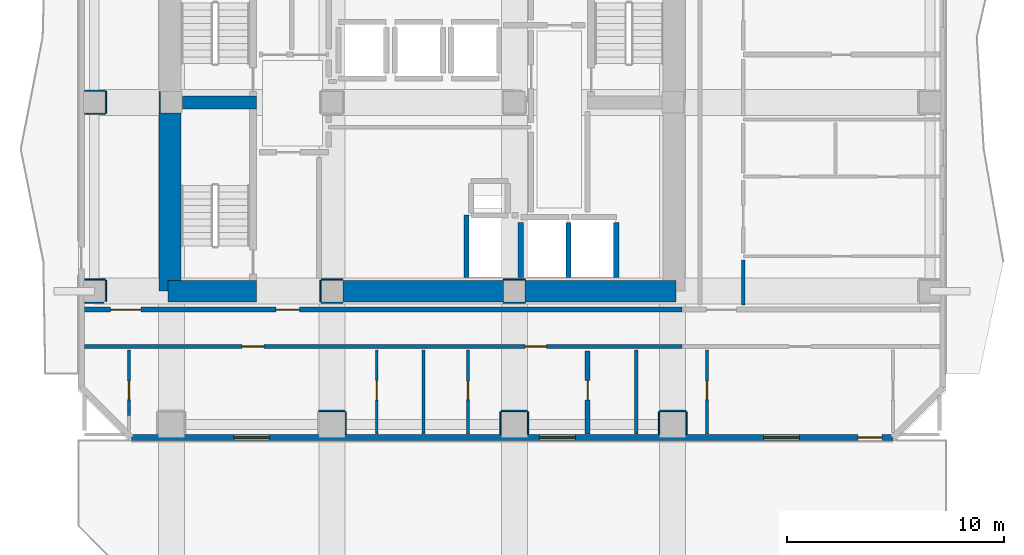
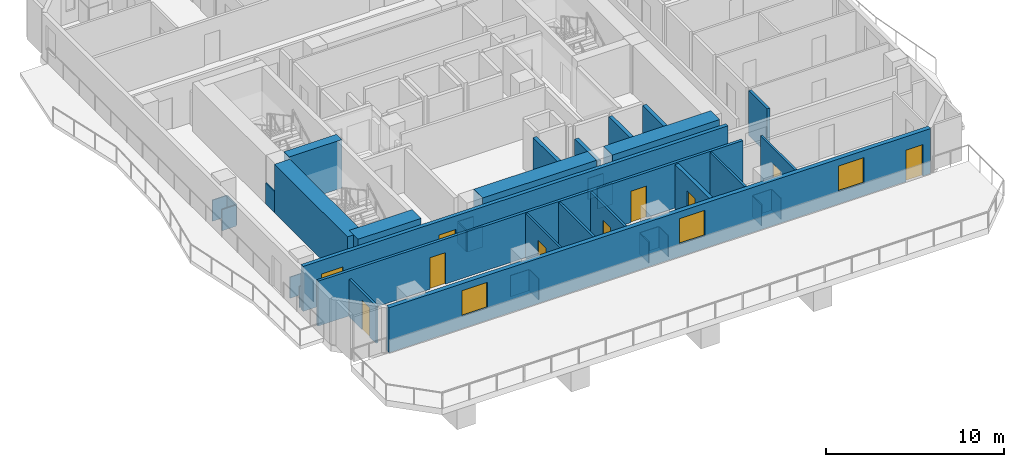
# One storey, part 2 of 9: 40 walls, 10 doors, 3 windows, 13 openings.
"""IFC4 building model written with IfcOpenShell, lengths in metres."""

from ifc_helpers import new_model, si_unit, direction, frame, frame_2d, origin, place, context, subcontext, project, spatial, rectangle, extrude, material, layer, layer_set, type_object, element, fill, save


model = new_model("IFC4")

# Units and contexts
model_context = context("Model", 3, precision=1e-05, world=origin(), true_north=direction((0.0, 1.0)))
body_context = subcontext(model_context, "Body", "Model", "MODEL_VIEW")
ifc_project = project(units=[si_unit("LENGTHUNIT", "METRE"), si_unit("AREAUNIT", "SQUARE_METRE"), si_unit("VOLUMEUNIT", "CUBIC_METRE"), si_unit("PLANEANGLEUNIT", "RADIAN"), si_unit("MASSUNIT", "GRAM", prefix="KILO")], contexts=[model_context])

# Site, building, storey
site_placement = place(None, origin())
site = spatial("IfcSite", under=ifc_project, at=site_placement, CompositionType="ELEMENT")
building_placement = place(site_placement, origin())
building = spatial("IfcBuilding", under=site, at=building_placement, Name="Solanera Arch Residences", CompositionType="ELEMENT")
storey_placement = place(building_placement, frame((0.0, 0.0, 145.919921875)))
storey = spatial("IfcBuildingStorey", under=building, at=storey_placement, Name="L42", CompositionType="ELEMENT", Elevation=145.919921875)

# Walls
ifc_material_1 = material(Name="Fire-Rated Gypsum Stud Partition", Category="gypsum")
ifc_layer_1 = layer(ifc_material_1, 0.06005859375)
ifc_layer_set_1 = layer_set([ifc_layer_1], Name="Fire-Rated Gypsum Stud Partition")
wall_type_1 = type_object("IfcWallType", Name="Column Acoustic Furring Wall 60", PredefinedType="PARTITIONING", material=ifc_layer_set_1)
for number, where, z_axis, x_axis, name in (
    (1, (20.300048828125, 21.468017578125, 0.0), (0.0, 0.0, 1.0), (1.0, 0.0, 0.0), "L42 Column Furring 1S"),
    (2, (20.300048828125, 22.531982421875, 0.0), (0.0, 0.0, 1.0), (1.0, 0.0, 0.0), "L42 Column Furring 1N"),
    (3, (20.26806640625, 21.5, 0.0), (0.0, 0.0, 1.0), (0.0, 1.0, 0.0), "L42 Column Furring 1W"),
    (4, (28.699951171875, 21.468017578125, 0.0), (0.0, 0.0, 1.0), (1.0, 0.0, 0.0), "L42 Column Furring 2S"),
    (5, (28.699951171875, 22.531982421875, 0.0), (0.0, 0.0, 1.0), (1.0, 0.0, 0.0), "L42 Column Furring 2N"),
):
    element("IfcWall", number, at=place(storey_placement, frame(where, z_axis=z_axis, x_axis=x_axis)), inside=storey, type_object=wall_type_1, Name=name, PredefinedType="PARTITIONING", context=body_context, shape_type="SweptSolid", body=[
        extrude(rectangle(XDim=1.0, YDim=0.06005859375, at=frame_2d((0.5, 0.0))), origin(), (0.0, 0.0, 1.0), 1.4501953125),
    ])
wall_1_placement = place(storey_placement, frame((12.867919921875, 30.2099609375, 0.0), z_axis=(0.0, 0.0, 1.0), x_axis=(0.0, 1.0, 0.0)))
element("IfcWall", 6, at=wall_1_placement, inside=storey, type_object=wall_type_1, Name="L42 Column Furring 5W", PredefinedType="PARTITIONING", context=body_context, shape_type="SweptSolid", body=[
    extrude(rectangle(XDim=0.97998046875, YDim=0.06005859375, at=frame_2d((0.489990234375, 0.0))), origin(), (0.0, 0.0, 1.0), 1.4501953125),
])
wall_2_placement = place(storey_placement, frame((20.199951171875, 16.48193359375, 0.0), z_axis=(0.0, 0.0, 1.0), x_axis=(1.0, 0.0, 0.0)))
element("IfcWall", 7, at=wall_2_placement, inside=storey, type_object=wall_type_1, Name="L42 Column Furring 11N", PredefinedType="PARTITIONING", context=body_context, shape_type="SweptSolid", body=[
    extrude(rectangle(XDim=1.199951171875, YDim=0.06005859375, at=frame_2d((0.60009765625, 0.0))), origin(), (0.0, 0.0, 1.0), 1.4501953125),
])
wall_3_placement = place(storey_placement, frame((21.431884765625, 15.409912109375, 0.0), z_axis=(0.0, 0.0, 1.0), x_axis=(0.0, 1.0, 0.0)))
element("IfcWall", 8, at=wall_3_placement, inside=storey, type_object=wall_type_1, Name="L42 Column Furring 11E", PredefinedType="PARTITIONING", context=body_context, shape_type="SweptSolid", body=[
    extrude(rectangle(XDim=1.0400390625, YDim=0.06005859375, at=frame_2d((0.52001953125, 0.0))), origin(), (0.0, 0.0, 1.0), 1.4501953125),
])
wall_4_placement = place(storey_placement, frame((28.60009765625, 16.48193359375, 0.0), z_axis=(0.0, 0.0, 1.0), x_axis=(1.0, 0.0, 0.0)))
element("IfcWall", 9, at=wall_4_placement, inside=storey, type_object=wall_type_1, Name="L42 Column Furring 13N", PredefinedType="PARTITIONING", context=body_context, shape_type="SweptSolid", body=[
    extrude(rectangle(XDim=1.199951171875, YDim=0.06005859375, at=frame_2d((0.60009765625, 0.0))), origin(), (0.0, 0.0, 1.0), 1.4501953125),
])
for number, where, z_axis, x_axis, name in (
    (10, (28.568115234375, 15.409912109375, 0.0), (0.0, 0.0, 1.0), (0.0, 1.0, 0.0), "L42 Column Furring 13W"),
    (11, (29.83203125, 15.409912109375, 0.0), (0.0, 0.0, 1.0), (0.0, 1.0, 0.0), "L42 Column Furring 13E"),
):
    element("IfcWall", number, at=place(storey_placement, frame(where, z_axis=z_axis, x_axis=x_axis)), inside=storey, type_object=wall_type_1, Name=name, PredefinedType="PARTITIONING", context=body_context, shape_type="SweptSolid", body=[
        extrude(rectangle(XDim=1.0400390625, YDim=0.06005859375, at=frame_2d((0.52001953125, 0.0))), origin(), (0.0, 0.0, 1.0), 1.4501953125),
    ])
wall_5_placement = place(storey_placement, frame((35.89990234375, 16.48193359375, 0.0), z_axis=(0.0, 0.0, 1.0), x_axis=(1.0, 0.0, 0.0)))
element("IfcWall", 12, at=wall_5_placement, inside=storey, type_object=wall_type_1, Name="L42 Column Furring 15N", PredefinedType="PARTITIONING", context=body_context, shape_type="SweptSolid", body=[
    extrude(rectangle(XDim=1.2001953125, YDim=0.06005859375, at=frame_2d((0.60009765625, 0.0))), origin(), (0.0, 0.0, 1.0), 1.4501953125),
])
for number, where, z_axis, x_axis, name in (
    (13, (35.867919921875, 15.409912109375, 0.0), (0.0, 0.0, 1.0), (0.0, 1.0, 0.0), "L42 Column Furring 15W"),
    (14, (37.132080078125, 15.409912109375, 0.0), (0.0, 0.0, 1.0), (0.0, 1.0, 0.0), "L42 Column Furring 15E"),
):
    element("IfcWall", number, at=place(storey_placement, frame(where, z_axis=z_axis, x_axis=x_axis)), inside=storey, type_object=wall_type_1, Name=name, PredefinedType="PARTITIONING", context=body_context, shape_type="SweptSolid", body=[
        extrude(rectangle(XDim=1.0400390625, YDim=0.06005859375, at=frame_2d((0.52001953125, 0.0))), origin(), (0.0, 0.0, 1.0), 1.4501953125),
    ])
wall_6_placement = place(storey_placement, frame((9.409912109375, 21.468017578125, 0.0), z_axis=(0.0, 0.0, 1.0), x_axis=(1.0, 0.0, 0.0)))
element("IfcWall", 15, at=wall_6_placement, inside=storey, type_object=wall_type_1, Name="L42 Column Furring 17S", PredefinedType="PARTITIONING", context=body_context, shape_type="SweptSolid", body=[
    extrude(rectangle(XDim=0.87109375, YDim=0.06005859375, at=frame_2d((0.435546875, 0.0))), origin(), (0.0, 0.0, 1.0), 1.4501953125),
])
wall_7_placement = place(storey_placement, frame((9.409912109375, 22.531982421875, 0.0), z_axis=(0.0, 0.0, 1.0), x_axis=(1.0, 0.0, 0.0)))
element("IfcWall", 16, at=wall_7_placement, inside=storey, type_object=wall_type_1, Name="L42 Column Furring 17N", PredefinedType="PARTITIONING", context=body_context, shape_type="SweptSolid", body=[
    extrude(rectangle(XDim=0.940185546875, YDim=0.06005859375, at=frame_2d((0.47021484375, 0.0))), origin(), (0.0, 0.0, 1.0), 1.4501953125),
])
wall_8_placement = place(storey_placement, frame((10.382080078125, 21.5439453125, 0.0), z_axis=(0.0, 0.0, 1.0), x_axis=(0.0, 1.0, 0.0)))
element("IfcWall", 17, at=wall_8_placement, inside=storey, type_object=wall_type_1, Name="L42 Column Furring 17E", PredefinedType="PARTITIONING", context=body_context, shape_type="SweptSolid", body=[
    extrude(rectangle(XDim=0.9560546875, YDim=0.06005859375, at=frame_2d((0.47802734375, 0.0))), origin(), (0.0, 0.0, 1.0), 1.4501953125),
])
for number, where, z_axis, x_axis, name in (
    (18, (9.409912109375, 30.16796875, 0.0), (0.0, 0.0, 1.0), (1.0, 0.0, 0.0), "L42 Column Furring 19S"),
    (19, (9.409912109375, 31.23193359375, 0.0), (0.0, 0.0, 1.0), (1.0, 0.0, 0.0), "L42 Column Furring 19N"),
):
    element("IfcWall", number, at=place(storey_placement, frame(where, z_axis=z_axis, x_axis=x_axis)), inside=storey, type_object=wall_type_1, Name=name, PredefinedType="PARTITIONING", context=body_context, shape_type="SweptSolid", body=[
        extrude(rectangle(XDim=0.940185546875, YDim=0.06005859375, at=frame_2d((0.47021484375, 0.0))), origin(), (0.0, 0.0, 1.0), 1.4501953125),
    ])
wall_9_placement = place(storey_placement, frame((10.382080078125, 30.199951171875, 0.0), z_axis=(0.0, 0.0, 1.0), x_axis=(0.0, 1.0, 0.0)))
element("IfcWall", 20, at=wall_9_placement, inside=storey, type_object=wall_type_1, Name="L42 Column Furring 19E", PredefinedType="PARTITIONING", context=body_context, shape_type="SweptSolid", body=[
    extrude(rectangle(XDim=1.0, YDim=0.06005859375, at=frame_2d((0.5, 0.0))), origin(), (0.0, 0.0, 1.0), 1.4501953125),
])
ifc_material_2 = material(Name="Concrete C55/67 (f'c = 60 MPa)", Category="concrete")
ifc_layer_2 = layer(ifc_material_2, 1.0)
ifc_layer_set_2 = layer_set([ifc_layer_2], Name="Concrete C55/67 (f'c = 60 MPa)")
wall_type_2 = type_object("IfcWallType", Name="Core Shear Wall CW-1000", PredefinedType="SHEAR", material=ifc_layer_set_2)
wall_10_placement = place(storey_placement, frame((13.340087890625, 22.0, 0.0), z_axis=(0.0, 0.0, 1.0), x_axis=(0.0, 1.0, 0.0)))
element("IfcWall", 21, at=wall_10_placement, inside=storey, type_object=wall_type_2, Name="L42 West Core South Shear Wall", PredefinedType="SHEAR", context=body_context, shape_type="SweptSolid", body=[
    extrude(rectangle(XDim=8.195068359375, YDim=1.0, at=frame_2d((4.09765625, 0.0))), origin(), (0.0, 0.0, 1.0), 3.320068359375),
])
wall_11_placement = place(storey_placement, frame((13.239990234375, 22.0, 0.0), z_axis=(0.0, 0.0, 1.0), x_axis=(1.0, 0.0, 0.0)))
element("IfcWall", 22, at=wall_11_placement, inside=storey, type_object=wall_type_2, Name="L42 South-West Core Shear Wall", PredefinedType="SHEAR", context=body_context, shape_type="SweptSolid", body=[
    extrude(rectangle(XDim=4.080078125, YDim=1.0, at=frame_2d((2.0400390625, 0.0))), origin(), (0.0, 0.0, 1.0), 3.320068359375),
])
wall_12_placement = place(storey_placement, frame((29.705078125, 22.0, 0.0), z_axis=(0.0, 0.0, 1.0), x_axis=(1.0, 0.0, 0.0)))
element("IfcWall", 23, at=wall_12_placement, inside=storey, type_object=wall_type_2, Name="L42 South-East Core Shear Wall", PredefinedType="SHEAR", context=body_context, shape_type="SweptSolid", body=[
    extrude(rectangle(XDim=6.954833984375, YDim=1.0, at=frame_2d((3.4775390625, 0.0))), origin(), (0.0, 0.0, 1.0), 3.320068359375),
])
wall_13_placement = place(storey_placement, frame((21.304931640625, 22.0, 0.0), z_axis=(0.0, 0.0, 1.0), x_axis=(1.0, 0.0, 0.0)))
element("IfcWall", 24, at=wall_13_placement, inside=storey, type_object=wall_type_2, Name="L42 Central South Core Shear Wall", PredefinedType="SHEAR", context=body_context, shape_type="SweptSolid", body=[
    extrude(rectangle(XDim=7.39013671875, YDim=1.0, at=frame_2d((3.695068359375, 0.0))), origin(), (0.0, 0.0, 1.0), 3.320068359375),
])
ifc_material_3 = material(Name="Concrete C40/50 (f'c = 45 MPa)", Category="concrete")
ifc_layer_3 = layer(ifc_material_3, 0.60009765625)
ifc_layer_set_3 = layer_set([ifc_layer_3], Name="Concrete C40/50 (f'c = 45 MPa)")
wall_type_3 = type_object("IfcWallType", Name="Core Shear Wall CW-600", PredefinedType="SHEAR", material=ifc_layer_set_3)
wall_14_placement = place(storey_placement, frame((13.905029296875, 30.699951171875, 0.0), z_axis=(0.0, 0.0, 1.0), x_axis=(1.0, 0.0, 0.0)))
element("IfcWall", 25, at=wall_14_placement, inside=storey, type_object=wall_type_3, Name="L42 West Stair Divider Shear Wall", PredefinedType="SHEAR", context=body_context, shape_type="SweptSolid", body=[
    extrude(rectangle(XDim=3.4150390625, YDim=0.60009765625, at=frame_2d((1.70751953125, 0.0))), origin(), (0.0, 0.0, 1.0), 3.320068359375),
])

# Wall, openings, doors
ifc_material_4 = material(Name="Autoclaved Aerated Concrete Blockwork", Category="masonry")
ifc_layer_4 = layer(ifc_material_4, 0.179931640625)
ifc_layer_set_4 = layer_set([ifc_layer_4], Name="Autoclaved Aerated Concrete Blockwork")
wall_type_4 = type_object("IfcWallType", Name="Corridor Fire Partition 180", PredefinedType="PARTITIONING", material=ifc_layer_set_4)
wall_15_placement = place(storey_placement, frame((9.406982421875, 19.449951171875, 0.0), z_axis=(0.0, 0.0, 1.0), x_axis=(1.0, 0.0, 0.0)))
wall_15 = element("IfcWall", 26, at=wall_15_placement, inside=storey, type_object=wall_type_4, Name="L42 Interior Partition H8 1", PredefinedType="PARTITIONING", context=body_context, shape_type="SweptSolid", body=[
    extrude(rectangle(XDim=27.531982421875, YDim=0.179931640625, at=frame_2d((13.76611328125, 0.0))), origin(), (0.0, 0.0, 1.0), 3.080078125),
])
opening_1_placement = place(wall_15_placement, frame((7.251953125, 0.0, 0.0)))
opening_1 = element("IfcOpeningElement", 27, at=opening_1_placement, cuts=wall_15, Name="Opening DI-01", PredefinedType="OPENING", context=body_context, shape_type="SweptSolid", body=[
    extrude(rectangle(XDim=1.0, YDim=2.14990234375, at=frame_2d((0.5, 1.074951171875))), frame((0.0, 0.10009765625, 0.0), z_axis=(0.0, -1.0, 0.0), x_axis=(1.0, 0.0, 0.0)), (0.0, 0.0, 1.0), 0.1999),
])
opening_2_placement = place(wall_15_placement, frame((20.281982421875, 0.0, 0.0)))
opening_2 = element("IfcOpeningElement", 28, at=opening_2_placement, cuts=wall_15, Name="Opening DI-01", PredefinedType="OPENING", context=body_context, shape_type="SweptSolid", body=[
    extrude(rectangle(XDim=1.0, YDim=2.14990234375, at=frame_2d((0.5, 1.074951171875))), frame((0.0, 0.10009765625, 0.0), z_axis=(0.0, -1.0, 0.0), x_axis=(1.0, 0.0, 0.0)), (0.0, 0.0, 1.0), 0.1999),
])
ifc_material_5 = material(Name="Fire-Rated Architectural Hardwood", Category="wood")
door_type_1 = type_object("IfcDoorType", Name="Unit Entrance Fire Door DI-01", OperationType="NOTDEFINED", PredefinedType="DOOR", material=ifc_material_5)
door_1_placement = place(opening_1_placement, origin())
door_1 = element("IfcDoor", 29, at=door_1_placement, inside=storey, type_object=door_type_1, Name="DR-L42-IN-017", OperationType="SINGLE_SWING_RIGHT", OverallHeight=2.14990234375, OverallWidth=1.0, PredefinedType="DOOR", context=body_context, shape_type="SweptSolid", body=[
    extrude(rectangle(XDim=1.0, YDim=2.14990234375, at=frame_2d((0.5, 1.074951171875))), frame((0.0, 0.02490234375, 0.0), z_axis=(0.0, -1.0, 0.0), x_axis=(1.0, 0.0, 0.0)), (0.0, 0.0, 1.0), 0.050048828125),
])
fill(opening_1, door_1)
door_2_placement = place(opening_2_placement, origin())
door_2 = element("IfcDoor", 30, at=door_2_placement, inside=storey, type_object=door_type_1, Name="DR-L42-IN-020", OperationType="SINGLE_SWING_LEFT", OverallHeight=2.14990234375, OverallWidth=1.0, PredefinedType="DOOR", context=body_context, shape_type="SweptSolid", body=[
    extrude(rectangle(XDim=1.0, YDim=2.14990234375, at=frame_2d((0.5, 1.074951171875))), frame((0.0, 0.02490234375, 0.0), z_axis=(0.0, -1.0, 0.0), x_axis=(1.0, 0.0, 0.0)), (0.0, 0.0, 1.0), 0.050048828125),
])
fill(opening_2, door_2)

# Wall
wall_16_placement = place(storey_placement, frame((39.75, 21.367919921875, 0.0), z_axis=(0.0, 0.0, 1.0), x_axis=(0.0, 1.0, 0.0)))
element("IfcWall", 31, at=wall_16_placement, inside=storey, type_object=wall_type_4, Name="L42 Interior Partition V12 1", PredefinedType="PARTITIONING", context=body_context, shape_type="SweptSolid", body=[
    extrude(rectangle(XDim=2.073974609375, YDim=0.179931640625, at=frame_2d((1.037109375, 0.0))), origin(), (0.0, 0.0, 1.0), 3.080078125),
])

# Wall, openings, door, windows
ifc_material_6 = material(Name="Precast Concrete C35/45", Category="concrete")
ifc_layer_5 = layer(ifc_material_6, 0.280029296875)
ifc_layer_set_5 = layer_set([ifc_layer_5], Name="Precast Concrete C35/45")
wall_type_5 = type_object("IfcWallType", Name="Exterior Wall Precast Masonry-Frame 280", PredefinedType="STANDARD", material=ifc_layer_set_5)
wall_17_placement = place(storey_placement, frame((46.64501953125, 15.2548828125, 0.0), z_axis=(0.0, 0.0, 1.0), x_axis=(-1.0, 0.0, 0.0)))
wall_17 = element("IfcWall", 32, at=wall_17_placement, inside=storey, type_object=wall_type_5, Name="L42 Tower Exterior Precast Masonry-Frame Wall S", PredefinedType="STANDARD", context=body_context, shape_type="SweptSolid", body=[
    extrude(rectangle(XDim=35.090087890625, YDim=0.280029296875, at=frame_2d((17.544921875, 0.0))), origin(), (0.0, 0.0, 1.0), 3.080078125),
])
opening_3_placement = place(wall_17_placement, frame((0.5029296875, 0.0, 0.0)))
opening_3 = element("IfcOpeningElement", 33, at=opening_3_placement, cuts=wall_17, Name="Opening DB-02", PredefinedType="OPENING", context=body_context, shape_type="SweptSolid", body=[
    extrude(rectangle(XDim=1.10009765625, YDim=2.14990234375, at=frame_2d((0.550048828125, 1.074951171875))), frame((0.0, 0.14990234375, 0.0), z_axis=(0.0, -1.0, 0.0), x_axis=(1.0, 0.0, 0.0)), (0.0, 0.0, 1.0), 0.3),
])
opening_4_placement = place(wall_17_placement, frame((28.719970703125, 0.0, 0.85009765625)))
opening_4 = element("IfcOpeningElement", 34, at=opening_4_placement, cuts=wall_17, Name="Opening W-08", PredefinedType="OPENING", context=body_context, shape_type="SweptSolid", body=[
    extrude(rectangle(XDim=1.64990234375, YDim=1.75, at=frame_2d((0.824951171875, 0.875))), frame((0.0, 0.14990234375, 0.0), z_axis=(0.0, -1.0, 0.0), x_axis=(1.0, 0.0, 0.0)), (0.0, 0.0, 1.0), 0.3),
])
opening_5_placement = place(wall_17_placement, frame((14.635009765625, 0.0, 0.85009765625)))
opening_5 = element("IfcOpeningElement", 35, at=opening_5_placement, cuts=wall_17, Name="Opening W-08", PredefinedType="OPENING", context=body_context, shape_type="SweptSolid", body=[
    extrude(rectangle(XDim=1.64990234375, YDim=1.75, at=frame_2d((0.824951171875, 0.875))), frame((0.0, 0.14990234375, 0.0), z_axis=(0.0, -1.0, 0.0), x_axis=(1.0, 0.0, 0.0)), (0.0, 0.0, 1.0), 0.3),
])
opening_6_placement = place(wall_17_placement, frame((4.30908203125, 0.0, 0.85009765625)))
opening_6 = element("IfcOpeningElement", 36, at=opening_6_placement, cuts=wall_17, Name="Opening W-08", PredefinedType="OPENING", context=body_context, shape_type="SweptSolid", body=[
    extrude(rectangle(XDim=1.64990234375, YDim=1.75, at=frame_2d((0.824951171875, 0.875))), frame((0.0, 0.14990234375, 0.0), z_axis=(0.0, -1.0, 0.0), x_axis=(1.0, 0.0, 0.0)), (0.0, 0.0, 1.0), 0.3),
])
ifc_material_7 = material(Name="Anodised Aluminium Alloy 6063-T6", Category="aluminium")
door_type_2 = type_object("IfcDoorType", Name="Glazed Terrace Swing Door DB-02", OperationType="NOTDEFINED", PredefinedType="DOOR", material=ifc_material_7)
door_3_placement = place(opening_3_placement, origin())
door_3 = element("IfcDoor", 37, at=door_3_placement, inside=storey, type_object=door_type_2, Name="DR-L42-OUT-01", OperationType="SINGLE_SWING_RIGHT", OverallHeight=2.14990234375, OverallWidth=1.10009765625, PredefinedType="DOOR", context=body_context, shape_type="SweptSolid", body=[
    extrude(rectangle(XDim=1.10009765625, YDim=2.14990234375, at=frame_2d((0.550048828125, 1.074951171875))), frame((0.0, 0.02490234375, 0.0), z_axis=(0.0, -1.0, 0.0), x_axis=(1.0, 0.0, 0.0)), (0.0, 0.0, 1.0), 0.050048828125),
])
fill(opening_3, door_3)
ifc_material_8 = material(Name="Double Glazed Low-E Laminated Glass", Category="glass")
window_type = type_object("IfcWindowType", Name="Punched Window W-08", PartitioningType="DOUBLE_PANEL_HORIZONTAL", PredefinedType="WINDOW", material=ifc_material_8)
window_1_placement = place(opening_4_placement, origin())
window_1 = element("IfcWindow", 38, at=window_1_placement, inside=storey, type_object=window_type, Name="L42 4201-LIV Punched Window", OverallHeight=1.75, OverallWidth=1.64990234375, PartitioningType="SINGLE_PANEL", PredefinedType="WINDOW", context=body_context, shape_type="SweptSolid", body=[
    extrude(rectangle(XDim=1.64990234375, YDim=1.75, at=frame_2d((0.824951171875, 0.875))), frame((0.0, 0.030029296875, 0.0), z_axis=(0.0, -1.0, 0.0), x_axis=(1.0, 0.0, 0.0)), (0.0, 0.0, 1.0), 0.06005859375),
])
fill(opening_4, window_1)
window_2_placement = place(opening_5_placement, origin())
window_2 = element("IfcWindow", 39, at=window_2_placement, inside=storey, type_object=window_type, Name="L42 4202-LIV Punched Window", OverallHeight=1.75, OverallWidth=1.64990234375, PartitioningType="SINGLE_PANEL", PredefinedType="WINDOW", context=body_context, shape_type="SweptSolid", body=[
    extrude(rectangle(XDim=1.64990234375, YDim=1.75, at=frame_2d((0.824951171875, 0.875))), frame((0.0, 0.030029296875, 0.0), z_axis=(0.0, -1.0, 0.0), x_axis=(1.0, 0.0, 0.0)), (0.0, 0.0, 1.0), 0.06005859375),
])
fill(opening_5, window_2)
window_3_placement = place(opening_6_placement, origin())
window_3 = element("IfcWindow", 40, at=window_3_placement, inside=storey, type_object=window_type, Name="L42 4203-LIV Punched Window", OverallHeight=1.75, OverallWidth=1.64990234375, PartitioningType="SINGLE_PANEL", PredefinedType="WINDOW", context=body_context, shape_type="SweptSolid", body=[
    extrude(rectangle(XDim=1.64990234375, YDim=1.75, at=frame_2d((0.824951171875, 0.875))), frame((0.0, 0.030029296875, 0.0), z_axis=(0.0, -1.0, 0.0), x_axis=(1.0, 0.0, 0.0)), (0.0, 0.0, 1.0), 0.06005859375),
])
fill(opening_6, window_3)

# Walls
ifc_material_9 = material(Name="Autoclaved Aerated Concrete Blockwork", Category="masonry")
ifc_layer_6 = layer(ifc_material_9, 0.239990234375)
ifc_layer_set_6 = layer_set([ifc_layer_6], Name="Autoclaved Aerated Concrete Blockwork")
wall_type_6 = type_object("IfcWallType", Name="Shaft Wall Fire-Rated 240", PredefinedType="PARTITIONING", material=ifc_layer_set_6)
wall_18_placement = place(storey_placement, frame((29.5, 22.632080078125, 0.0), z_axis=(0.0, 0.0, 1.0), x_axis=(0.0, 1.0, 0.0)))
element("IfcWall", 41, at=wall_18_placement, inside=storey, type_object=wall_type_6, Name="L42 Lift FFL-1 Hoistway Wall W", PredefinedType="PARTITIONING", context=body_context, shape_type="SweptSolid", body=[
    extrude(rectangle(XDim=2.52001953125, YDim=0.239990234375, at=frame_2d((1.260009765625, 0.0))), origin(), (0.0, 0.0, 1.0), 2.315185546875),
])
for number, where, z_axis, x_axis, name in (
    (42, (31.699951171875, 22.6298828125, 0.0), (0.0, 0.0, 1.0), (0.0, 1.0, 0.0), "L42 Lift FFL-1 Hoistway Wall E"),
    (43, (33.89990234375, 22.6298828125, 0.0), (0.0, 0.0, 1.0), (0.0, 1.0, 0.0), "L42 Lift FFL-2 Hoistway Wall E"),
):
    element("IfcWall", number, at=place(storey_placement, frame(where, z_axis=z_axis, x_axis=x_axis)), inside=storey, type_object=wall_type_6, Name=name, PredefinedType="PARTITIONING", context=body_context, shape_type="SweptSolid", body=[
        extrude(rectangle(XDim=2.522216796875, YDim=0.239990234375, at=frame_2d((1.26123046875, 0.0))), origin(), (0.0, 0.0, 1.0), 3.080078125),
    ])
wall_19_placement = place(storey_placement, frame((27.0, 22.6298828125, 0.0), z_axis=(0.0, 0.0, 1.0), x_axis=(0.0, 1.0, 0.0)))
element("IfcWall", 44, at=wall_19_placement, inside=storey, type_object=wall_type_6, Name="L42 Lift SVL-1 Hoistway Wall W", PredefinedType="PARTITIONING", context=body_context, shape_type="SweptSolid", body=[
    extrude(rectangle(XDim=2.8681640625, YDim=0.239990234375, at=frame_2d((1.43408203125, 0.0))), origin(), (0.0, 0.0, 1.0), 3.080078125),
])

# Wall, openings, doors
wall_20_placement = place(storey_placement, frame((9.406982421875, 21.14990234375, 0.0), z_axis=(0.0, 0.0, 1.0), x_axis=(1.0, 0.0, 0.0)))
wall_20 = element("IfcWall", 45, at=wall_20_placement, inside=storey, type_object=wall_type_6, Name="L42 Interior Partition H1 1", PredefinedType="PARTITIONING", context=body_context, shape_type="SweptSolid", body=[
    extrude(rectangle(XDim=27.531982421875, YDim=0.239990234375, at=frame_2d((13.76611328125, 0.0))), origin(), (0.0, 0.0, 1.0), 3.080078125),
])
opening_7_placement = place(wall_20_placement, frame((8.802978515625, 0.0, 0.0)))
opening_7 = element("IfcOpeningElement", 46, at=opening_7_placement, cuts=wall_20, Name="Opening DF-02", PredefinedType="OPENING", context=body_context, shape_type="SweptSolid", body=[
    extrude(rectangle(XDim=1.10009765625, YDim=2.14990234375, at=frame_2d((0.550048828125, 1.074951171875))), frame((0.0, 0.1298828125, 0.0), z_axis=(0.0, -1.0, 0.0), x_axis=(1.0, 0.0, 0.0)), (0.0, 0.0, 1.0), 0.26),
])
opening_8_placement = place(wall_20_placement, frame((1.19189453125, 0.0, 0.0)))
opening_8 = element("IfcOpeningElement", 47, at=opening_8_placement, cuts=wall_20, Name="Opening DF-03", PredefinedType="OPENING", context=body_context, shape_type="SweptSolid", body=[
    extrude(rectangle(XDim=1.39990234375, YDim=2.14990234375, at=frame_2d((0.699951171875, 1.074951171875))), frame((0.0, 0.1298828125, 0.0), z_axis=(0.0, -1.0, 0.0), x_axis=(1.0, 0.0, 0.0)), (0.0, 0.0, 1.0), 0.26),
])
ifc_material_10 = material(Name="Fire-Rated Architectural Hardwood", Category="wood")
door_type_3 = type_object("IfcDoorType", Name="Corridor Smoke Door DF-03", OperationType="NOTDEFINED", PredefinedType="DOOR", material=ifc_material_10)
door_4_placement = place(opening_8_placement, origin())
door_4 = element("IfcDoor", 48, at=door_4_placement, inside=storey, type_object=door_type_3, Name="DR-L42-IN-010", OperationType="SINGLE_SWING_LEFT", OverallHeight=2.14990234375, OverallWidth=1.39990234375, PredefinedType="DOOR", context=body_context, shape_type="SweptSolid", body=[
    extrude(rectangle(XDim=1.39990234375, YDim=2.14990234375, at=frame_2d((0.699951171875, 1.074951171875))), frame((0.0, 0.02490234375, 0.0), z_axis=(0.0, -1.0, 0.0), x_axis=(1.0, 0.0, 0.0)), (0.0, 0.0, 1.0), 0.050048828125),
])
fill(opening_8, door_4)
ifc_material_11 = material(Name="Fire-Rated Architectural Hardwood", Category="wood")
door_type_4 = type_object("IfcDoorType", Name="Firefighting Lobby Fire Door DF-02", OperationType="NOTDEFINED", PredefinedType="DOOR", material=ifc_material_11)
door_5_placement = place(opening_7_placement, origin())
door_5 = element("IfcDoor", 49, at=door_5_placement, inside=storey, type_object=door_type_4, Name="DR-L42-IN-008", OperationType="SINGLE_SWING_LEFT", OverallHeight=2.14990234375, OverallWidth=1.10009765625, PredefinedType="DOOR", context=body_context, shape_type="SweptSolid", body=[
    extrude(rectangle(XDim=1.10009765625, YDim=2.14990234375, at=frame_2d((0.550048828125, 1.074951171875))), frame((0.0, 0.02490234375, 0.0), z_axis=(0.0, -1.0, 0.0), x_axis=(1.0, 0.0, 0.0)), (0.0, 0.0, 1.0), 0.050048828125),
])
fill(opening_7, door_5)

# Wall, opening, door
wall_21_placement = place(storey_placement, frame((32.580078125, 15.406982421875, 0.0), z_axis=(0.0, 0.0, 1.0), x_axis=(0.0, 1.0, 0.0)))
wall_21 = element("IfcWall", 50, at=wall_21_placement, inside=storey, type_object=wall_type_6, Name="L42 Interior Partition V5", PredefinedType="PARTITIONING", context=body_context, shape_type="SweptSolid", body=[
    extrude(rectangle(XDim=3.824951171875, YDim=0.239990234375, at=frame_2d((1.91259765625, 0.0))), origin(), (0.0, 0.0, 1.0), 3.080078125),
])
opening_9_placement = place(wall_21_placement, frame((1.568115234375, 0.0, 0.0)))
opening_9 = element("IfcOpeningElement", 51, at=opening_9_placement, cuts=wall_21, Name="Opening DI-02", PredefinedType="OPENING", context=body_context, shape_type="SweptSolid", body=[
    extrude(rectangle(XDim=0.89990234375, YDim=2.10009765625, at=frame_2d((0.449951171875, 1.050048828125))), frame((0.0, 0.1298828125, 0.0), z_axis=(0.0, -1.0, 0.0), x_axis=(1.0, 0.0, 0.0)), (0.0, 0.0, 1.0), 0.26),
])
ifc_material_12 = material(Name="Fire-Rated Architectural Hardwood", Category="wood")
door_type_5 = type_object("IfcDoorType", Name="Suite Room Swing Door DI-02", OperationType="NOTDEFINED", PredefinedType="DOOR", material=ifc_material_12)
door_6_placement = place(opening_9_placement, origin())
door_6 = element("IfcDoor", 52, at=door_6_placement, inside=storey, type_object=door_type_5, Name="DR-L42-IN-022", OperationType="SINGLE_SWING_LEFT", OverallHeight=2.10009765625, OverallWidth=0.89990234375, PredefinedType="DOOR", context=body_context, shape_type="SweptSolid", body=[
    extrude(rectangle(XDim=0.89990234375, YDim=2.10009765625, at=frame_2d((0.449951171875, 1.050048828125))), frame((0.0, 0.02490234375, 0.0), z_axis=(0.0, -1.0, 0.0), x_axis=(1.0, 0.0, 0.0)), (0.0, 0.0, 1.0), 0.050048828125),
])
fill(opening_9, door_6)

ifc_material_13 = material(Name="Fire-Rated Gypsum Stud Partition", Category="gypsum")
ifc_layer_7 = layer(ifc_material_13, 0.1201171875)
ifc_layer_set_7 = layer_set([ifc_layer_7], Name="Fire-Rated Gypsum Stud Partition")
wall_type_7 = type_object("IfcWallType", Name="Unit Drywall Partition 120", PredefinedType="PARTITIONING", material=ifc_layer_set_7)
wall_22_placement = place(storey_placement, frame((22.867919921875, 15.406982421875, 0.0), z_axis=(0.0, 0.0, 1.0), x_axis=(0.0, 1.0, 0.0)))
wall_22 = element("IfcWall", 53, at=wall_22_placement, inside=storey, type_object=wall_type_7, Name="L42 Interior Partition V25", PredefinedType="PARTITIONING", context=body_context, shape_type="SweptSolid", body=[
    extrude(rectangle(XDim=3.885009765625, YDim=0.1201171875, at=frame_2d((1.9423828125, 0.0))), origin(), (0.0, 0.0, 1.0), 3.080078125),
])
opening_10_placement = place(wall_22_placement, frame((1.568115234375, 0.0, 0.0)))
opening_10 = element("IfcOpeningElement", 54, at=opening_10_placement, cuts=wall_22, Name="Opening DI-02", PredefinedType="OPENING", context=body_context, shape_type="SweptSolid", body=[
    extrude(rectangle(XDim=0.89990234375, YDim=2.10009765625, at=frame_2d((0.449951171875, 1.050048828125))), frame((0.0, 0.070068359375, 0.0), z_axis=(0.0, -1.0, 0.0), x_axis=(1.0, 0.0, 0.0)), (0.0, 0.0, 1.0), 0.1401),
])
door_7_placement = place(opening_10_placement, origin())
door_7 = element("IfcDoor", 55, at=door_7_placement, inside=storey, type_object=door_type_5, Name="DR-L42-IN-019", OperationType="SINGLE_SWING_RIGHT", OverallHeight=2.10009765625, OverallWidth=0.89990234375, PredefinedType="DOOR", context=body_context, shape_type="SweptSolid", body=[
    extrude(rectangle(XDim=0.89990234375, YDim=2.10009765625, at=frame_2d((0.449951171875, 1.050048828125))), frame((0.0, 0.02490234375, 0.0), z_axis=(0.0, -1.0, 0.0), x_axis=(1.0, 0.0, 0.0)), (0.0, 0.0, 1.0), 0.050048828125),
])
fill(opening_10, door_7)

ifc_material_14 = material(Name="Autoclaved Aerated Concrete Blockwork", Category="masonry")
ifc_layer_8 = layer(ifc_material_14, 0.139892578125)
ifc_layer_set_8 = layer_set([ifc_layer_8], Name="Autoclaved Aerated Concrete Blockwork")
wall_type_8 = type_object("IfcWallType", Name="Wet-Room Partition 140", PredefinedType="PARTITIONING", material=ifc_layer_set_8)
wall_23_placement = place(storey_placement, frame((11.449951171875, 16.278076171875, 0.0), z_axis=(0.0, 0.0, 1.0), x_axis=(0.0, 1.0, 0.0)))
wall_23 = element("IfcWall", 56, at=wall_23_placement, inside=storey, type_object=wall_type_8, Name="L42 Interior Partition V14 2", PredefinedType="PARTITIONING", context=body_context, shape_type="SweptSolid", body=[
    extrude(rectangle(XDim=3.00390625, YDim=0.139892578125, at=frame_2d((1.501953125, 0.0))), origin(), (0.0, 0.0, 1.0), 2.565185546875),
])
opening_11_placement = place(wall_23_placement, frame((0.717041015625, 0.0, 0.0)))
opening_11 = element("IfcOpeningElement", 57, at=opening_11_placement, cuts=wall_23, Name="Opening DI-05", PredefinedType="OPENING", context=body_context, shape_type="SweptSolid", body=[
    extrude(rectangle(XDim=0.860107421875, YDim=2.02001953125, at=frame_2d((0.43017578125, 1.010009765625))), frame((0.0, 0.079833984375, 0.0), z_axis=(0.0, -1.0, 0.0), x_axis=(1.0, 0.0, 0.0)), (0.0, 0.0, 1.0), 0.1599),
])
ifc_material_15 = material(Name="Fire-Rated Architectural Hardwood", Category="wood")
door_type_6 = type_object("IfcDoorType", Name="Bathroom Swing Door DI-05", OperationType="NOTDEFINED", PredefinedType="DOOR", material=ifc_material_15)
door_8_placement = place(opening_11_placement, origin())
door_8 = element("IfcDoor", 58, at=door_8_placement, inside=storey, type_object=door_type_6, Name="DR-L42-IN-018", OperationType="SINGLE_SWING_LEFT", OverallHeight=2.02001953125, OverallWidth=0.860107421875, PredefinedType="DOOR", context=body_context, shape_type="SweptSolid", body=[
    extrude(rectangle(XDim=0.860107421875, YDim=2.02001953125, at=frame_2d((0.43017578125, 1.010009765625))), frame((0.0, 0.02490234375, 0.0), z_axis=(0.0, -1.0, 0.0), x_axis=(1.0, 0.0, 0.0)), (0.0, 0.0, 1.0), 0.050048828125),
])
fill(opening_11, door_8)

# Wall
wall_24_placement = place(storey_placement, frame((25.01806640625, 15.406982421875, 0.0), z_axis=(0.0, 0.0, 1.0), x_axis=(0.0, 1.0, 0.0)))
element("IfcWall", 59, at=wall_24_placement, inside=storey, type_object=wall_type_8, Name="L42 Interior Partition V16", PredefinedType="PARTITIONING", context=body_context, shape_type="SweptSolid", body=[
    extrude(rectangle(XDim=3.875, YDim=0.139892578125, at=frame_2d((1.9375, 0.0))), origin(), (0.0, 0.0, 1.0), 3.080078125),
])

# Wall, opening, door
wall_25_placement = place(storey_placement, frame((27.068115234375, 15.406982421875, 0.0), z_axis=(0.0, 0.0, 1.0), x_axis=(0.0, 1.0, 0.0)))
wall_25 = element("IfcWall", 60, at=wall_25_placement, inside=storey, type_object=wall_type_8, Name="L42 Interior Partition V17", PredefinedType="PARTITIONING", context=body_context, shape_type="SweptSolid", body=[
    extrude(rectangle(XDim=3.875, YDim=0.139892578125, at=frame_2d((1.9375, 0.0))), origin(), (0.0, 0.0, 1.0), 3.080078125),
])
opening_12_placement = place(wall_25_placement, frame((1.587890625, 0.0, 0.0)))
opening_12 = element("IfcOpeningElement", 61, at=opening_12_placement, cuts=wall_25, Name="Opening DI-05", PredefinedType="OPENING", context=body_context, shape_type="SweptSolid", body=[
    extrude(rectangle(XDim=0.860107421875, YDim=2.02001953125, at=frame_2d((0.43017578125, 1.010009765625))), frame((0.0, 0.079833984375, 0.0), z_axis=(0.0, -1.0, 0.0), x_axis=(1.0, 0.0, 0.0)), (0.0, 0.0, 1.0), 0.1599),
])
door_9_placement = place(opening_12_placement, origin())
door_9 = element("IfcDoor", 62, at=door_9_placement, inside=storey, type_object=door_type_6, Name="DR-L42-IN-021", OperationType="SINGLE_SWING_RIGHT", OverallHeight=2.02001953125, OverallWidth=0.860107421875, PredefinedType="DOOR", context=body_context, shape_type="SweptSolid", body=[
    extrude(rectangle(XDim=0.860107421875, YDim=2.02001953125, at=frame_2d((0.43017578125, 1.010009765625))), frame((0.0, 0.02490234375, 0.0), z_axis=(0.0, -1.0, 0.0), x_axis=(1.0, 0.0, 0.0)), (0.0, 0.0, 1.0), 0.050048828125),
])
fill(opening_12, door_9)

# Wall
wall_26_placement = place(storey_placement, frame((34.820068359375, 15.406982421875, 0.0), z_axis=(0.0, 0.0, 1.0), x_axis=(0.0, 1.0, 0.0)))
element("IfcWall", 63, at=wall_26_placement, inside=storey, type_object=wall_type_8, Name="L42 Interior Partition V19", PredefinedType="PARTITIONING", context=body_context, shape_type="SweptSolid", body=[
    extrude(rectangle(XDim=3.875, YDim=0.139892578125, at=frame_2d((1.9375, 0.0))), origin(), (0.0, 0.0, 1.0), 3.080078125),
])

# Wall, opening, door
wall_27_placement = place(storey_placement, frame((38.080078125, 15.406982421875, 0.0), z_axis=(0.0, 0.0, 1.0), x_axis=(0.0, 1.0, 0.0)))
wall_27 = element("IfcWall", 64, at=wall_27_placement, inside=storey, type_object=wall_type_8, Name="L42 Interior Partition V21", PredefinedType="PARTITIONING", context=body_context, shape_type="SweptSolid", body=[
    extrude(rectangle(XDim=3.875, YDim=0.139892578125, at=frame_2d((1.9375, 0.0))), origin(), (0.0, 0.0, 1.0), 3.080078125),
])
opening_13_placement = place(wall_27_placement, frame((1.587890625, 0.0, 0.0)))
opening_13 = element("IfcOpeningElement", 65, at=opening_13_placement, cuts=wall_27, Name="Opening DI-05", PredefinedType="OPENING", context=body_context, shape_type="SweptSolid", body=[
    extrude(rectangle(XDim=0.860107421875, YDim=2.02001953125, at=frame_2d((0.43017578125, 1.010009765625))), frame((0.0, 0.079833984375, 0.0), z_axis=(0.0, -1.0, 0.0), x_axis=(1.0, 0.0, 0.0)), (0.0, 0.0, 1.0), 0.1599),
])
door_10_placement = place(opening_13_placement, origin())
door_10 = element("IfcDoor", 66, at=door_10_placement, inside=storey, type_object=door_type_6, Name="DR-L42-IN-024", OperationType="SINGLE_SWING_LEFT", OverallHeight=2.02001953125, OverallWidth=0.860107421875, PredefinedType="DOOR", context=body_context, shape_type="SweptSolid", body=[
    extrude(rectangle(XDim=0.860107421875, YDim=2.02001953125, at=frame_2d((0.43017578125, 1.010009765625))), frame((0.0, 0.02490234375, 0.0), z_axis=(0.0, -1.0, 0.0), x_axis=(1.0, 0.0, 0.0)), (0.0, 0.0, 1.0), 0.050048828125),
])
fill(opening_13, door_10)

save(model, "model.ifc")
